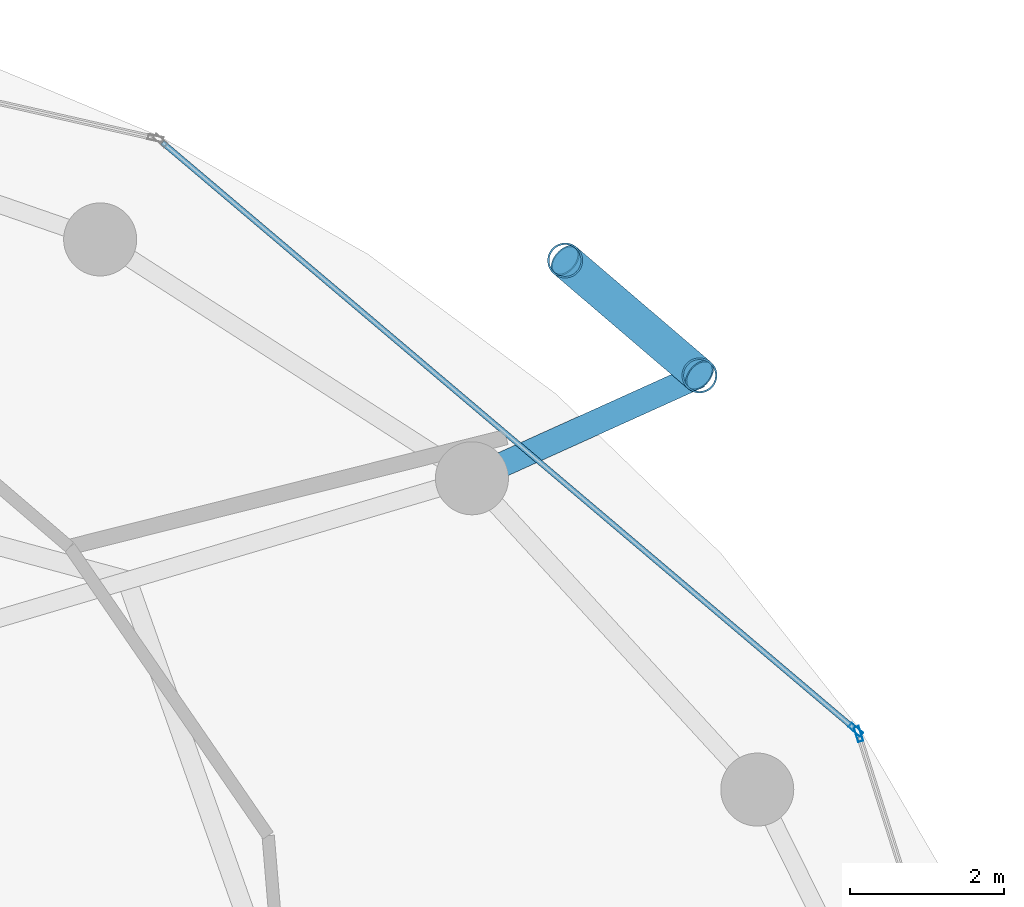
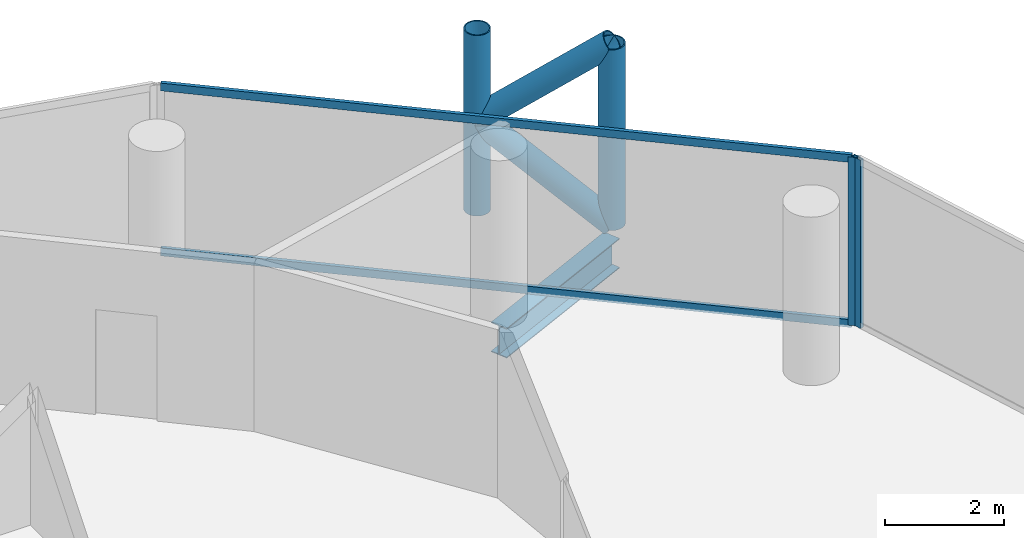
# One storey, part 19 of 26: 8 members, 1 beam, 2 elements without a shape of their own.
"""IFC4 building model written with IfcOpenShell, lengths in metres."""

from ifc_helpers import new_model, si_unit, direction, frame, origin, origin_2d, place, context, subcontext, project, spatial, hollow_rectangle, hollow_circle, i_section, extrude, material, layer, layer_set, material_profile, profile_set, type_object, element, aggregate, save


model = new_model("IFC4")

# Units and contexts
model_context = context("Model", 3, precision=1e-05, world=origin(), true_north=direction((0.0, 1.0)))
body_context = subcontext(model_context, "Body", "Model", "MODEL_VIEW")
ifc_project = project(units=[si_unit("LENGTHUNIT", "METRE"), si_unit("AREAUNIT", "SQUARE_METRE"), si_unit("VOLUMEUNIT", "CUBIC_METRE"), si_unit("PLANEANGLEUNIT", "RADIAN"), si_unit("MASSUNIT", "GRAM", prefix="KILO")], contexts=[model_context])

# Site, building, storey
site_placement = place(None, origin())
site = spatial("IfcSite", under=ifc_project, at=site_placement, CompositionType="ELEMENT")
building_placement = place(site_placement, origin())
building = spatial("IfcBuilding", under=site, at=building_placement, Name="Nuhasar Tower", CompositionType="ELEMENT")
storey_placement = place(building_placement, frame((0.0, 0.0, 177.449951171875)))
storey = spatial("IfcBuildingStorey", under=building, at=storey_placement, Name="L43", CompositionType="ELEMENT", Elevation=177.449951171875)

# Beam
ifc_material_1 = material(Name="Steel S355", Category="steel")
ifc_material_profile_1 = material_profile(ifc_material_1, i_section(OverallWidth=0.323974609375, OverallDepth=0.611083984375, WebThickness=0.0126953125, FlangeThickness=0.01904296875, at=origin_2d()), Name="W24X104")
ifc_profile_set_1 = profile_set([ifc_material_profile_1], Name="Steel S355")
beam_type = type_object("IfcBeamType", Name="BM-TIE-W24X104", PredefinedType="BEAM", material=ifc_profile_set_1)
beam_placement = place(storey_placement, frame((55.510986328125, 40.6240234375, -0.555908203125), z_axis=(0.911239591969, 0.411876687891, 0.0), x_axis=(-0.411876687891, 0.911239591969, 0.0)))
element("IfcBeam", 1, at=beam_placement, inside=storey, type_object=beam_type, Name="L43 Exoskeleton Node Tie Beam 02", PredefinedType="BEAM", context=body_context, shape_type="SweptSolid", body=[
    extrude(i_section(OverallWidth=0.323974609375, OverallDepth=0.611083984375, WebThickness=0.0126953125, FlangeThickness=0.01904296875, at=origin_2d()), origin(), (0.0, 0.0, 1.0), 3.248291015625),
])

# Curtain wall, member
ifc_material_2 = material(Name="Aluminium 6063-T6", Category="aluminium")
ifc_layer = layer(ifc_material_2, 0.199951171875)
ifc_layer_set = layer_set([ifc_layer], Name="Aluminium 6063-T6")
curtain_wall_type = type_object("IfcCurtainWallType", Name="CW-Z2-HTL", PredefinedType="NOTDEFINED", material=ifc_layer_set)
curtain_wall_1_placement = place(storey_placement, origin())
curtain_wall_1 = element("IfcCurtainWall", 2, at=curtain_wall_1_placement, inside=storey, type_object=curtain_wall_type, Name="L43 Unitised Curtain Wall 01", PredefinedType="NOTDEFINED")
ifc_material_profile_2 = material_profile(ifc_material_2, hollow_rectangle(XDim=0.070068359375, YDim=0.199951171875, WallThickness=0.0048828125, at=origin_2d()), Name="CWM-3")
ifc_profile_set_2 = profile_set([ifc_material_profile_2], Name="Aluminium 6063-T6")
member_type_1 = type_object("IfcMemberType", Name="CW-MUL-S3", PredefinedType="MULLION", material=ifc_profile_set_2)
member_1_placement = place(storey_placement, frame((60.53955078125, 37.296630859375, 0.0), z_axis=(0.0, 0.0, 1.0), x_axis=(-0.953433389233, -0.301603667577, 0.0)))
member_1 = element("IfcMember", 3, at=member_1_placement, type_object=member_type_1, Name="CW-Z2 mullion 2", PredefinedType="MULLION", context=body_context, shape_type="SweptSolid", body=[
    extrude(hollow_rectangle(XDim=0.070068359375, YDim=0.199951171875, WallThickness=0.0048828125, at=origin_2d()), origin(), (0.0, 0.0, 1.0), 3.449951171875),
])
aggregate(curtain_wall_1, [member_1])

# Curtain wall, members
curtain_wall_2_placement = place(storey_placement, origin())
curtain_wall_2 = element("IfcCurtainWall", 4, at=curtain_wall_2_placement, inside=storey, type_object=curtain_wall_type, Name="L43 Unitised Curtain Wall 02", PredefinedType="NOTDEFINED")
member_2_placement = place(storey_placement, frame((60.502197265625, 37.3525390625, 0.0), z_axis=(0.0, 0.0, 1.0), x_axis=(-0.646374438324, -0.763020370292, 0.0)))
member_2 = element("IfcMember", 5, at=member_2_placement, type_object=member_type_1, Name="CW-Z2 mullion 1", PredefinedType="MULLION", context=body_context, shape_type="SweptSolid", body=[
    extrude(hollow_rectangle(XDim=0.070068359375, YDim=0.199951171875, WallThickness=0.0048828125, at=origin_2d()), origin(), (0.0, 0.0, 1.0), 3.449951171875),
])
ifc_material_profile_3 = material_profile(ifc_material_2, hollow_rectangle(XDim=0.070068359375, YDim=0.159912109375, WallThickness=0.00439453125, at=origin_2d()), Name="CWT-3")
ifc_profile_set_3 = profile_set([ifc_material_profile_3], Name="Aluminium 6063-T6")
member_type_2 = type_object("IfcMemberType", Name="CW-TRN-S3", PredefinedType="USERDEFINED", material=ifc_profile_set_3)
member_3_placement = place(storey_placement, frame((60.4755859375, 37.375244140625, 0.03515625), z_axis=(-0.763023915269, 0.646370253592, 0.0), x_axis=(-0.646370253592, -0.763023915269, 0.0)))
member_3 = element("IfcMember", 6, at=member_3_placement, type_object=member_type_2, Name="CW-Z2 transom 1.1", ObjectType="TRANSOM", PredefinedType="USERDEFINED", context=body_context, shape_type="SweptSolid", body=[
    extrude(hollow_rectangle(XDim=0.070068359375, YDim=0.159912109375, WallThickness=0.00439453125, at=origin_2d()), origin(), (0.0, 0.0, 1.0), 11.784912109375),
])
member_4_placement = place(storey_placement, frame((60.4755859375, 37.375244140625, 3.4150390625), z_axis=(-0.763023915269, 0.646370253592, 0.0), x_axis=(-0.646370253592, -0.763023915269, 0.0)))
member_4 = element("IfcMember", 7, at=member_4_placement, type_object=member_type_2, Name="CW-Z2 transom 1.2", ObjectType="TRANSOM", PredefinedType="USERDEFINED", context=body_context, shape_type="SweptSolid", body=[
    extrude(hollow_rectangle(XDim=0.070068359375, YDim=0.159912109375, WallThickness=0.00439453125, at=origin_2d()), origin(), (0.0, 0.0, 1.0), 11.784912109375),
])
aggregate(curtain_wall_2, [member_2, member_3, member_4])

# Members
ifc_material_3 = material(Name="Steel S460", Category="steel")
ifc_material_profile_4 = material_profile(ifc_material_3, hollow_circle(Radius=0.228515625, WallThickness=0.022216796875, at=origin_2d()), Name="HSS457X22.2")
ifc_profile_set_4 = profile_set([ifc_material_profile_4], Name="Steel S460")
member_type_3 = type_object("IfcMemberType", Name="EXO-BRONZE-457", PredefinedType="BRACE", material=ifc_profile_set_4)
for number, where, z_axis, x_axis, name in (
    (8, (58.470947265625, 41.9619140625, 0.0), (0.0, 0.0, 1.0), (1.0, 0.0, 0.0), "L43 Exoskeleton Chord Column EC-02A"),
    (9, (56.722900390625, 43.45703125, 0.0), (0.0, 0.0, 1.0), (1.0, 0.0, 0.0), "L43 Exoskeleton Chord Column EC-02B"),
):
    element("IfcMember", number, at=place(storey_placement, frame(where, z_axis=z_axis, x_axis=x_axis)), inside=storey, type_object=member_type_3, Name=name, PredefinedType="BRACE", context=body_context, shape_type="SweptSolid", body=[
        extrude(hollow_circle(Radius=0.228515625, WallThickness=0.022216796875, at=origin_2d()), origin(), (0.0, 0.0, 1.0), 3.699951171875),
    ])
member_5_placement = place(storey_placement, frame((58.470947265625, 41.9619140625, 0.0), z_axis=(-0.592170370358, 0.506487618445, 0.626741210415), x_axis=(-0.649986859795, -0.759945446788, 0.0)))
element("IfcMember", 10, at=member_5_placement, inside=storey, type_object=member_type_3, Name="L43 Bronze Diagrid Brace W1-02", PredefinedType="BRACE", context=body_context, shape_type="SweptSolid", body=[
    extrude(hollow_circle(Radius=0.228515625, WallThickness=0.022216796875, at=origin_2d()), origin(), (0.0, 0.0, 1.0), 2.951904296875),
])
member_6_placement = place(storey_placement, frame((56.722900390625, 43.45703125, 1.85009765625), z_axis=(0.592201065785, -0.506513872468, 0.626690988192), x_axis=(0.649986859795, 0.759945446788, 0.0)))
element("IfcMember", 11, at=member_6_placement, inside=storey, type_object=member_type_3, Name="L43 Bronze Diagrid Brace W2-02", PredefinedType="BRACE", context=body_context, shape_type="SweptSolid", body=[
    extrude(hollow_circle(Radius=0.228515625, WallThickness=0.022216796875, at=origin_2d()), origin(), (0.0, 0.0, 1.0), 2.95166015625),
])

save(model, "model.ifc")
